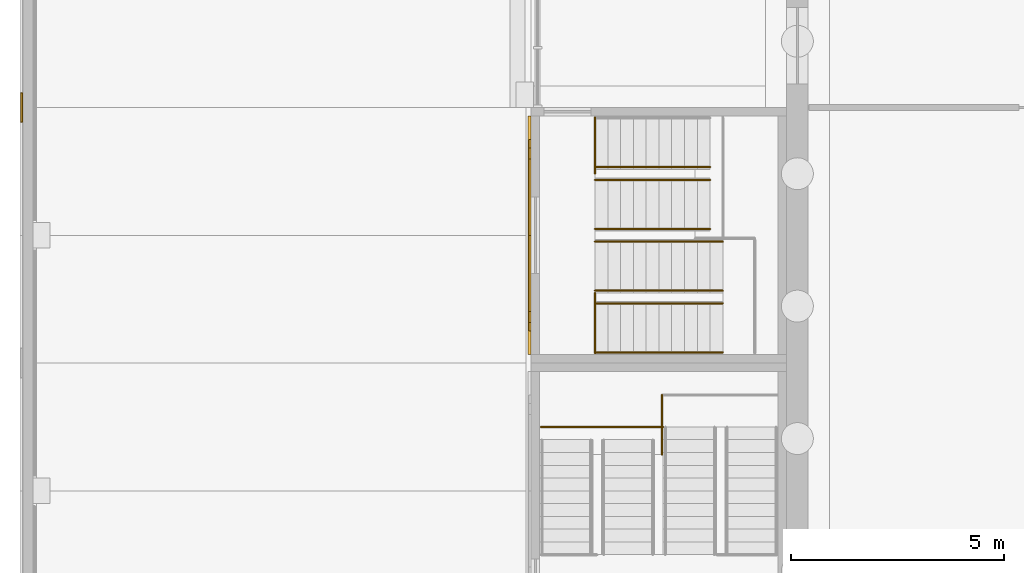
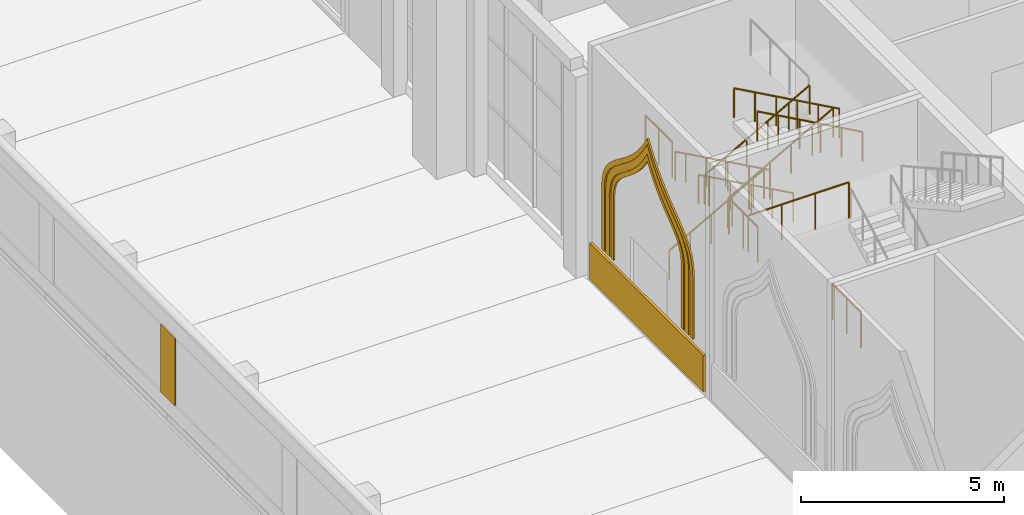
# One storey, part 78 of 95: 11 railings, 5 coverings.
"""IFC4 building model written with IfcOpenShell, lengths in metres."""

from ifc_helpers import new_model, si_unit, direction, frame, origin, origin_2d, place, context, subcontext, project, spatial, polyline, rectangle, circle, outline, extrude, material, layer, layer_set, type_object, element, save


model = new_model("IFC4")

# Units and contexts
model_context = context("Model", 3, precision=1e-05, world=origin(), true_north=direction((0.0, 1.0)))
body_context = subcontext(model_context, "Body", "Model", "MODEL_VIEW")
ifc_project = project(units=[si_unit("LENGTHUNIT", "METRE"), si_unit("AREAUNIT", "SQUARE_METRE"), si_unit("VOLUMEUNIT", "CUBIC_METRE"), si_unit("PLANEANGLEUNIT", "RADIAN"), si_unit("MASSUNIT", "GRAM", prefix="KILO")], contexts=[model_context])

# Site, building, storey
site_placement = place(None, origin())
site = spatial("IfcSite", under=ifc_project, at=site_placement, CompositionType="ELEMENT")
building_placement = place(site_placement, origin())
building = spatial("IfcBuilding", under=site, at=building_placement, Name="Saffron Lane Theatres", CompositionType="ELEMENT")
storey_placement = place(building_placement, origin())
storey = spatial("IfcBuildingStorey", under=building, at=storey_placement, Name="L00", CompositionType="ELEMENT", Elevation=0.0)

# Coverings
ifc_material_1 = material(Name="Masonry sandstone", Category="masonry")
ifc_layer_1 = layer(ifc_material_1, 0.050048828125)
ifc_layer_set_1 = layer_set([ifc_layer_1], Name="Masonry sandstone")
covering_type_1 = type_object("IfcCoveringType", Name="EX-ARCH FRAME RING SANDSTONE 50", PredefinedType="CLADDING", material=ifc_layer_set_1)
covering_1_placement = place(storey_placement, frame((12.0, 67.220947265625, 3.31103515625), z_axis=(1.0, 0.0, 0.0), x_axis=(0.0, -0.060212267817, -0.99818559537)))
element("IfcCovering", 1, at=covering_1_placement, inside=storey, type_object=covering_type_1, Name="Arch recess ring L00", PredefinedType="CLADDING", context=body_context, shape_type="SweptSolid", body=[
    extrude(outline(polyline([(0.0, 0.0), (0.18245996245064686, -1.734723475976807e-18), (2.0579571162514476, 0.11313320632846652), (2.050724587988245, 0.2330324526473327), (0.17912659666935885, 0.12013445049002722), (0.008910318017484561, 0.11989467290442692), (-0.13960380243034332, 0.14101992754420883), (-0.27042632246488074, 0.1810670310814375), (-0.3880257946657277, 0.2370760043565431), (-0.4986122624964559, 0.31062892209304366), (-0.603885402766164, 0.39746532206832463), (-0.708349375352586, 0.499270180830787), (-0.8142206528964551, 0.6122410309466604), (-0.9258563926685295, 0.7356258724131494), (-1.0450444730420934, 0.8666264289383572), (-1.1755664544134807, 1.003057915110166), (-1.3213214992646054, 1.144685126757414), (-1.4861878630399454, 1.2868716016560897), (-1.6721445275018532, 1.4299871330308516), (-1.882826050439687, 1.5694099589183848), (-2.040617995422439, 1.659192944482378), (-1.8947626621261104, 1.767292454875538), (-1.7023682634960484, 1.931029511956845), (-1.5349633280344688, 2.0954604213430774), (-1.3883840885669005, 2.256433829413242), (-1.2607103643737818, 2.4145547335631594), (-1.1475346906255224, 2.5656864804325337), (-1.0449579048402078, 2.7100642741925265), (-0.9489632424503434, 2.8459737377733414), (-0.8574394193472985, 2.9708517990542433), (-0.7659704772175246, 3.0844756674175486), (-0.6718989355993618, 3.1833368806434383), (-0.5709558387862367, 3.2696496246654263), (-0.4609417011053337, 3.339388641432058), (-0.3358816832642421, 3.394871018701731), (-0.19092502590522514, 3.4327205966009036), (-0.02197296967334153, 3.4539183725267932), (1.8496250216455448, 3.5668163746840986), (1.8423924933823423, 3.6867156210029646), (-0.03310466041845825, 3.5735824146744983), (-0.2142415994063242, 3.5516496257137304), (-0.3749882967892865, 3.5079558775061255), (-0.5175148377187658, 3.446039032792898), (-0.6428401135973336, 3.366571383496617), (-0.754264496287823, 3.2715551051242904), (-0.8570526391547226, 3.163118468752466), (-0.9530868289122405, 3.044082944417697), (-1.0463985303885692, 2.9164066068448986), (-1.1423196914749458, 2.7792786549884854), (-1.2440392887253622, 2.63690924351224), (-1.3551392856631255, 2.487859380230101), (-1.480212043730155, 2.335276227621187), (-1.6211630433853152, 2.1783110906345584), (-1.7837590335640314, 2.0193065374804875), (-1.9696239030646943, 1.860855040801105), (-2.26018958268524, 1.6459480095938712), (-1.9458976822988232, 1.4675270254379955), (-1.742333698918291, 1.332566545353323), (-1.5618033906885445, 1.1942599592614251), (-1.4030062745465393, 1.0553761429328026), (-1.2604990072921967, 0.9189338765698157), (-1.132287906902467, 0.7843196692926863), (-1.0141922192349622, 0.6552098929656452), (-0.9024829781593999, 0.530606563223558), (-0.7945004165069005, 0.415072640986949), (-0.6848537853434367, 0.30844413668092546), (-0.569776224533372, 0.21314953337272505), (-0.44773825361924, 0.13221610474866663), (-0.31376922445050365, 0.06838953283459553), (-0.16477456881409536, 0.023079409295178335), (0.0, 0.0)])), origin(), (0.0, 0.0, -1.0), 0.050048828125),
])
covering_2_placement = place(storey_placement, frame((12.0, 66.962890625, 3.333984375), z_axis=(1.0, 0.0, 0.0), x_axis=(0.0, -0.063270109204, -0.997996439513)))
element("IfcCovering", 2, at=covering_2_placement, inside=storey, type_object=covering_type_1, Name="Arch recess ring L00", PredefinedType="CLADDING", context=body_context, shape_type="SweptSolid", body=[
    extrude(outline(polyline([(0.0, 0.0), (0.20451131328636926, 0.0), (2.0806276668637502, 0.11894039083684353), (2.067976734383832, 0.31849094844461956), (0.19770801619422412, 0.19992128090389083), (0.0144407216005487, 0.20053419842883544), (-0.1432761019235517, 0.22258203382804242), (-0.2812437493538364, 0.2649631093819253), (-0.40748727254448935, 0.3269240290838356), (-0.5257351802433071, 0.4055374778503005), (-0.6390348645762146, 0.5025673058291871), (-0.7523176448594566, 0.6147653124425081), (-0.8697101493553678, 0.7416252505476917), (-0.9917579708393627, 0.8801769620388366), (-1.124428821741667, 1.0280850650198985), (-1.2693046879516765, 1.1832922200669196), (-1.4318505321466313, 1.3432502874173748), (-1.61456115889787, 1.5048655345333244), (-1.820983212694718, 1.6662006990332623), (-2.0556688375324716, 1.8257440342686455), (-2.188717697959195, 1.9024406220928562), (-2.066419813119802, 1.9953254605140816), (-1.8537613307928715, 2.18322912790225), (-1.6693664195068467, 2.369340966025863), (-1.5085284672263832, 2.552736206788559), (-1.367484574206089, 2.731940991928976), (-1.2433692125785105, 2.9042014185972795), (-1.1304393771943213, 3.067679900015165), (-1.0268659333000492, 3.2205353520147404), (-0.9264340196013918, 3.3612047329002017), (-0.8282273200268198, 3.486810565389676), (-0.728088312705989, 3.597371793676754), (-0.6207149550265398, 3.69028898295165), (-0.5032452165106046, 3.766722100760383), (-0.37179612037033916, 3.82716194744152), (-0.2181263594954924, 3.868950798358842), (-0.036403745302295454, 3.8927030282829542), (1.833864972887312, 4.011272695823683), (1.8212140404073933, 4.2108232534314585), (-0.05490231316998792, 4.091882862594615), (-0.25777626523185, 4.066055806298615), (-0.4399925942549357, 4.015362892944497), (-0.6007775027933451, 3.9430333789166583), (-0.7421419898590216, 3.8499182956810216), (-0.8672570220099287, 3.7397307051813806), (-0.9817455273529403, 3.6162728527959676), (-1.0873594066215049, 3.480167565320222), (-1.1904062019339534, 3.334439793296892), (-1.295867070408131, 3.1804861609673156), (-1.405753011055981, 3.0191576997974177), (-1.527512589348264, 2.8521838689374683), (-1.6619231001204655, 2.6802492823989263), (-1.8152148514708935, 2.5051606333520864), (-1.9914252882274395, 2.3288636362032866), (-2.193447334475981, 2.15068562635549), (-2.5481036228327842, 1.8796565861857983), (-2.162059428738258, 1.6555858301906534), (-1.9391533034752475, 1.5043470465272013), (-1.7420124472922178, 1.3504962957412796), (-1.567913850947345, 1.1973864086493233), (-1.4128664100247506, 1.0438026252684656), (-1.2709950929182379, 0.8935422363416936), (-1.1416152856163493, 0.747382536704494), (-1.0175564651204108, 0.6079797937474251), (-0.896931206850517, 0.47643218780048757), (-0.77497460894489, 0.35475421526521117), (-0.6458116397973328, 0.2467431668845833), (-0.5077830794984254, 0.15323812471010928), (-0.3557911912774569, 0.07872099349623404), (-0.18709751908859773, 0.026300952584901824), (0.0, 0.0)])), origin(), (0.0, 0.0, -1.0), 0.050048828125),
])
covering_3_placement = place(storey_placement, frame((12.0, 66.763916015625, 3.34912109375), z_axis=(1.0, 0.0, 0.0), x_axis=(0.0, -0.063067105822, -0.998009288616)))
element("IfcCovering", 3, at=covering_3_placement, inside=storey, type_object=covering_type_1, Name="Arch recess ring L00", PredefinedType="CLADDING", context=body_context, shape_type="SweptSolid", body=[
    extrude(outline(polyline([(0.0, 0.0), (0.22065410238359984, 0.0), (2.095819992321758, 0.11849717929764414), (2.08699737229349, 0.2581112716747965), (0.21572995613898713, 0.13986044825926805), (0.01120324984086172, 0.1401457024385599), (-0.16661464303161863, 0.166826152522514), (-0.32408683559152085, 0.21607490839936183), (-0.46710723024222456, 0.28825340008036515), (-0.6001051004476012, 0.3799015700062919), (-0.7281663985634338, 0.4902087668589081), (-0.8536968762192425, 0.6185337089889348), (-0.9827851974313513, 0.7605775943042785), (-1.1168470981407341, 0.9155170755147107), (-1.261591713839184, 1.080789727293752), (-1.418829706234838, 1.2540794801970379), (-1.5953961004210881, 1.4312849950160573), (-1.7941531627651468, 1.6112468863933098), (-2.017809187207904, 1.7903692228565102), (-2.272363155580528, 1.966805145670982), (-2.4713360494485013, 2.0843733579964816), (-2.288745821741221, 2.2260536522840537), (-2.0584271132717276, 2.4331300879366635), (-1.859098732187894, 2.6389820376094155), (-1.684576929746966, 2.8425325046992453), (-1.5317222892143505, 3.04055509155704), (-1.3975493662817773, 3.232259946648473), (-1.2747612185768877, 3.414438770837703), (-1.1612700340241646, 3.5850218505624816), (-1.0510895267644345, 3.7421858281426754), (-0.9427115774009303, 3.8852921231996427), (-0.8295548101530967, 4.010842590258168), (-0.7091518844208844, 4.118503892521613), (-0.5763552588779816, 4.208112062862301), (-0.42633533175207877, 4.2767921389410235), (-0.2532905840955898, 4.325644618415389), (-0.050426780001745275, 4.35167406227577), (1.8208406361527578, 4.469924885691299), (1.8120180161244899, 4.609538978068451), (-0.06314787381366846, 4.491041798770807), (-0.28204669053719406, 4.463265173062264), (-0.4748093632101681, 4.409007991296921), (-0.6452138889458251, 4.329988531727125), (-0.7951660141787333, 4.229266523603667), (-0.9280950019828605, 4.110783931167464), (-1.0496511001501079, 3.9749175816724094), (-1.1644664475692028, 3.825288798534778), (-1.2765780932074908, 3.6638441173757603), (-1.3909823072355991, 3.4922248302345396), (-1.5116545496503437, 3.3114028542863916), (-1.6450992100191186, 3.1236580619491425), (-1.7933887031748097, 2.9308165121735614), (-1.9622040713945823, 2.7337423414364994), (-2.1560542756261065, 2.5341076362624033), (-2.3787173129826167, 2.333630674903618), (-2.718645480099129, 2.068745156724768), (-2.3480768001444785, 1.8487579980615008), (-2.101948365016449, 1.6779053315271268), (-1.8845095850723483, 1.5042611719162358), (-1.6922288190810568, 1.330005714760139), (-1.5208434619770204, 1.1573653473180439), (-1.3648264439093958, 0.987912479227884), (-1.2223517059274132, 0.8237195253225451), (-1.0872535978015876, 0.667867014636728), (-0.9557106319614249, 0.5218195761099406), (-0.8229728941184138, 0.38783439148665516), (-0.6852804856725893, 0.26835070815229334), (-0.5384939794994548, 0.16754415025789063), (-0.37705551126290276, 0.08649981821842358), (-0.19805932413846122, 0.029560004583244877), (0.0, 0.0)])), origin(), (0.0, 0.0, -1.0), 0.050048828125),
])
ifc_material_2 = material(Name="Face brick cladding, pale buff", Category="masonry")
ifc_layer_2 = layer(ifc_material_2, 0.0400390625)
ifc_layer_set_2 = layer_set([ifc_layer_2], Name="Face brick cladding, pale buff")
covering_type_2 = type_object("IfcCoveringType", Name="EX-FACE BRICK SKIN PALE BUFF 40", PredefinedType="CLADDING", material=ifc_layer_set_2)
covering_4_placement = place(storey_placement, frame((0.0400390625, 72.0, 0.4501953125), z_axis=(0.0, 0.0, 1.0), x_axis=(0.0, 1.0, 0.0)))
element("IfcCovering", 4, at=covering_4_placement, inside=storey, type_object=covering_type_2, Name="Face brick cladding, pale buff L00", PredefinedType="CLADDING", context=body_context, shape_type="SweptSolid", body=[
    extrude(rectangle(XDim=0.699951171875, YDim=0.0400390625, at=origin_2d()), origin(), (0.0, 0.0, 1.0), 2.050048828125),
])
ifc_material_3 = material(Name="Masonry sandstone", Category="masonry")
ifc_layer_3 = layer(ifc_material_3, 0.070068359375)
ifc_layer_set_3 = layer_set([ifc_layer_3], Name="Masonry sandstone")
covering_type_3 = type_object("IfcCoveringType", Name="EX-PLINTH COURSE SANDSTONE 70", PredefinedType="CLADDING", material=ifc_layer_set_3)
covering_5_placement = place(storey_placement, frame((11.965087890625, 69.0, 0.0), z_axis=(0.0, 0.0, 1.0), x_axis=(0.0, 1.0, 0.0)))
element("IfcCovering", 5, at=covering_5_placement, inside=storey, type_object=covering_type_3, Name="Plinth course L00", PredefinedType="CLADDING", context=body_context, shape_type="SweptSolid", body=[
    extrude(rectangle(XDim=5.60009765625, YDim=0.070068359375, at=origin_2d()), origin(), (0.0, 0.0, 1.0), 1.10009765625),
])

# Railings
ifc_material_4 = material(Name="Steel Grade 350", Category="steel")
railing_type_1 = type_object("IfcRailingType", Name="VC-GUARD 1100", PredefinedType="GUARDRAIL", material=ifc_material_4)
railing_1_placement = place(storey_placement, frame((13.5, 71.77001953125, 3.333251953125)))
element("IfcRailing", 6, at=railing_1_placement, inside=storey, type_object=railing_type_1, Name="Auditorium West Rear Stair landing guard 1S2w", PredefinedType="GUARDRAIL", context=body_context, shape_type="SweptSolid", body=[
    extrude(circle(Radius=0.02392578125, at=origin_2d()), frame((0.0, 0.0, 1.076171875), z_axis=(0.0, -1.0, 0.0), x_axis=(1.0, 0.0, 0.0)), (0.0, 0.0, 1.0), 1.320068359375),
    extrude(circle(Radius=0.02099609375, at=origin_2d()), origin(), (0.0, 0.0, 1.0), 1.052001953125),
    extrude(circle(Radius=0.02099609375, at=origin_2d()), frame((0.0, -0.66015625, 0.0)), (0.0, 0.0, 1.0), 1.052001953125),
    extrude(circle(Radius=0.02099609375, at=origin_2d()), frame((0.0, -1.320068359375, 0.0)), (0.0, 0.0, 1.0), 1.052001953125),
])
railing_2_placement = place(storey_placement, frame((13.5, 67.64990234375, 3.333251953125)))
element("IfcRailing", 7, at=railing_2_placement, inside=storey, type_object=railing_type_1, Name="Auditorium West Rear Stair landing guard 1S2e", PredefinedType="GUARDRAIL", context=body_context, shape_type="SweptSolid", body=[
    extrude(circle(Radius=0.02392578125, at=origin_2d()), frame((0.0, 0.0, 1.076171875), z_axis=(0.0, -1.0, 0.0), x_axis=(1.0, 0.0, 0.0)), (0.0, 0.0, 1.0), 1.419921875),
    extrude(circle(Radius=0.02099609375, at=origin_2d()), origin(), (0.0, 0.0, 1.0), 1.052001953125),
    extrude(circle(Radius=0.02099609375, at=origin_2d()), frame((0.0, -0.7099609375, 0.0)), (0.0, 0.0, 1.0), 1.052001953125),
    extrude(circle(Radius=0.02099609375, at=origin_2d()), frame((0.0, -1.419921875, 0.0)), (0.0, 0.0, 1.0), 1.052001953125),
])
railing_3_placement = place(storey_placement, frame((15.070068359375, 63.85009765625, 1.666748046875)))
element("IfcRailing", 8, at=railing_3_placement, inside=storey, type_object=railing_type_1, Name="Auditorium West Front Stair landing guard 1N1e", PredefinedType="GUARDRAIL", context=body_context, shape_type="SweptSolid", body=[
    extrude(circle(Radius=0.02392578125, at=origin_2d()), frame((0.0, 0.0, 1.076171875), z_axis=(0.0, 1.0, 0.0), x_axis=(-1.0, 0.0, 0.0)), (0.0, 0.0, 1.0), 1.39990234375),
    extrude(circle(Radius=0.02099609375, at=origin_2d()), origin(), (0.0, 0.0, 1.0), 1.052001953125),
    extrude(circle(Radius=0.02099609375, at=origin_2d()), frame((0.0, 0.699951171875, 0.0)), (0.0, 0.0, 1.0), 1.052001953125),
    extrude(circle(Radius=0.02099609375, at=origin_2d()), frame((0.0, 1.39990234375, 0.0)), (0.0, 0.0, 1.0), 1.052001953125),
])
railing_4_placement = place(storey_placement, frame((12.22998046875, 64.5, 5.166748046875)))
element("IfcRailing", 9, at=railing_4_placement, inside=storey, type_object=railing_type_1, Name="Auditorium West Front Stair landing guard 1N2s", PredefinedType="GUARDRAIL", context=body_context, shape_type="SweptSolid", body=[
    extrude(circle(Radius=0.02392578125, at=origin_2d()), frame((0.0, 0.0, 1.076171875), z_axis=(1.0, 0.0, 0.0), x_axis=(0.0, 1.0, 0.0)), (0.0, 0.0, 1.0), 2.8701171875),
    extrude(circle(Radius=0.02099609375, at=origin_2d()), origin(), (0.0, 0.0, 1.0), 1.052001953125),
    extrude(circle(Radius=0.02099609375, at=origin_2d()), frame((0.956787109375, 0.0, 0.0)), (0.0, 0.0, 1.0), 1.052001953125),
    extrude(circle(Radius=0.02099609375, at=origin_2d()), frame((1.913330078125, 0.0, 0.0)), (0.0, 0.0, 1.0), 1.052001953125),
    extrude(circle(Radius=0.02099609375, at=origin_2d()), frame((2.8701171875, 0.0, 0.0)), (0.0, 0.0, 1.0), 1.052001953125),
])
ifc_material_5 = material(Name="Steel Grade 350", Category="steel")
railing_type_2 = type_object("IfcRailingType", Name="VC-HANDRAIL 900", PredefinedType="HANDRAIL", material=ifc_material_5)
railing_5_placement = place(storey_placement, frame((13.5, 70.60009765625, 0.166748046875)))
element("IfcRailing", 10, at=railing_5_placement, inside=storey, type_object=railing_type_2, Name="Auditorium West Rear Stair handrail 1.1b", PredefinedType="HANDRAIL", context=body_context, shape_type="SweptSolid", body=[
    extrude(circle(Radius=0.02392578125, at=origin_2d()), frame((0.0, 0.0, 0.8759765625), z_axis=(0.874241147926, 0.0, 0.485491931212), x_axis=(0.0, 1.0, 0.0)), (0.0, 0.0, 1.0), 0.6865234375),
    extrude(circle(Radius=0.02392578125, at=origin_2d()), frame((0.60009765625, 0.0, 1.208984375), z_axis=(0.874157276122, 0.0, 0.485642931179), x_axis=(0.0, 1.0, 0.0)), (0.0, 0.0, 1.0), 0.686279296875),
    extrude(circle(Radius=0.02392578125, at=origin_2d()), frame((1.199951171875, 0.0, 1.54248046875), z_axis=(0.874090171491, 0.0, 0.485763699861), x_axis=(0.0, 1.0, 0.0)), (0.0, 0.0, 1.0), 0.6865234375),
    extrude(circle(Radius=0.02392578125, at=origin_2d()), frame((1.800048828125, 0.0, 1.8759765625), z_axis=(0.874157276122, 0.0, 0.485642931179), x_axis=(0.0, 1.0, 0.0)), (0.0, 0.0, 1.0), 0.686279296875),
    extrude(circle(Radius=0.02392578125, at=origin_2d()), frame((2.39990234375, 0.0, 2.208984375), z_axis=(0.874090171491, 0.0, 0.485763699861), x_axis=(0.0, 1.0, 0.0)), (0.0, 0.0, 1.0), 0.34326171875),
    extrude(circle(Radius=0.02099609375, at=origin_2d()), origin(), (0.0, 0.0, 1.0), 0.851806640625),
    extrude(circle(Radius=0.02099609375, at=origin_2d()), frame((0.60009765625, 0.0, 0.333251953125)), (0.0, 0.0, 1.0), 0.851806640625),
    extrude(circle(Radius=0.02099609375, at=origin_2d()), frame((1.199951171875, 0.0, 0.66650390625)), (0.0, 0.0, 1.0), 0.851806640625),
    extrude(circle(Radius=0.02099609375, at=origin_2d()), frame((1.800048828125, 0.0, 1.0)), (0.0, 0.0, 1.0), 0.851806640625),
    extrude(circle(Radius=0.02099609375, at=origin_2d()), frame((2.39990234375, 0.0, 1.333251953125)), (0.0, 0.0, 1.0), 0.851806640625),
    extrude(circle(Radius=0.02099609375, at=origin_2d()), frame((2.699951171875, 0.0, 1.5)), (0.0, 0.0, 1.0), 0.851806640625),
])
railing_6_placement = place(storey_placement, frame((16.199951171875, 70.300048828125, 1.833251953125)))
element("IfcRailing", 11, at=railing_6_placement, inside=storey, type_object=railing_type_2, Name="Auditorium West Rear Stair handrail 1.2a", PredefinedType="HANDRAIL", context=body_context, shape_type="SweptSolid", body=[
    extrude(circle(Radius=0.02392578125, at=origin_2d()), frame((0.0, 0.0, 0.8759765625), z_axis=(-0.874006220275, 0.0, 0.485914732151), x_axis=(0.0, -1.0, 0.0)), (0.0, 0.0, 1.0), 0.686279296875),
    extrude(circle(Radius=0.02392578125, at=origin_2d()), frame((-0.599853515625, 0.0, 1.20947265625), z_axis=(-0.874241147926, 0.0, 0.485491931212), x_axis=(0.0, -1.0, 0.0)), (0.0, 0.0, 1.0), 0.6865234375),
    extrude(circle(Radius=0.02392578125, at=origin_2d()), frame((-1.199951171875, 0.0, 1.54248046875), z_axis=(-0.874241147926, 0.0, 0.485491931212), x_axis=(0.0, -1.0, 0.0)), (0.0, 0.0, 1.0), 0.6865234375),
    extrude(circle(Radius=0.02392578125, at=origin_2d()), frame((-1.800048828125, 0.0, 1.8759765625), z_axis=(-0.874006220275, 0.0, 0.485914732151), x_axis=(0.0, -1.0, 0.0)), (0.0, 0.0, 1.0), 0.686279296875),
    extrude(circle(Radius=0.02392578125, at=origin_2d()), frame((-2.39990234375, 0.0, 2.20947265625), z_axis=(-0.87439209197, 0.0, 0.485220021744), x_axis=(0.0, -1.0, 0.0)), (0.0, 0.0, 1.0), 0.34326171875),
    extrude(circle(Radius=0.02099609375, at=origin_2d()), origin(), (0.0, 0.0, 1.0), 0.851806640625),
    extrude(circle(Radius=0.02099609375, at=origin_2d()), frame((-0.599853515625, 0.0, 0.33349609375)), (0.0, 0.0, 1.0), 0.851806640625),
    extrude(circle(Radius=0.02099609375, at=origin_2d()), frame((-1.199951171875, 0.0, 0.666748046875)), (0.0, 0.0, 1.0), 0.851806640625),
    extrude(circle(Radius=0.02099609375, at=origin_2d()), frame((-1.800048828125, 0.0, 1.0)), (0.0, 0.0, 1.0), 0.851806640625),
    extrude(circle(Radius=0.02099609375, at=origin_2d()), frame((-2.39990234375, 0.0, 1.33349609375)), (0.0, 0.0, 1.0), 0.851806640625),
    extrude(circle(Radius=0.02099609375, at=origin_2d()), frame((-2.699951171875, 0.0, 1.5)), (0.0, 0.0, 1.0), 0.851806640625),
])
railing_7_placement = place(storey_placement, frame((16.199951171875, 69.14990234375, 1.833251953125)))
element("IfcRailing", 12, at=railing_7_placement, inside=storey, type_object=railing_type_2, Name="Auditorium West Rear Stair handrail 1.2b", PredefinedType="HANDRAIL", context=body_context, shape_type="SweptSolid", body=[
    extrude(circle(Radius=0.02392578125, at=origin_2d()), frame((0.0, 0.0, 0.8759765625), z_axis=(-0.874006220275, 0.0, 0.485914732151), x_axis=(0.0, -1.0, 0.0)), (0.0, 0.0, 1.0), 0.686279296875),
    extrude(circle(Radius=0.02392578125, at=origin_2d()), frame((-0.599853515625, 0.0, 1.20947265625), z_axis=(-0.874241147926, 0.0, 0.485491931212), x_axis=(0.0, -1.0, 0.0)), (0.0, 0.0, 1.0), 0.6865234375),
    extrude(circle(Radius=0.02392578125, at=origin_2d()), frame((-1.199951171875, 0.0, 1.54248046875), z_axis=(-0.874241147926, 0.0, 0.485491931212), x_axis=(0.0, -1.0, 0.0)), (0.0, 0.0, 1.0), 0.6865234375),
    extrude(circle(Radius=0.02392578125, at=origin_2d()), frame((-1.800048828125, 0.0, 1.8759765625), z_axis=(-0.874006220275, 0.0, 0.485914732151), x_axis=(0.0, -1.0, 0.0)), (0.0, 0.0, 1.0), 0.686279296875),
    extrude(circle(Radius=0.02392578125, at=origin_2d()), frame((-2.39990234375, 0.0, 2.20947265625), z_axis=(-0.87439209197, 0.0, 0.485220021744), x_axis=(0.0, -1.0, 0.0)), (0.0, 0.0, 1.0), 0.34326171875),
    extrude(circle(Radius=0.02099609375, at=origin_2d()), origin(), (0.0, 0.0, 1.0), 0.851806640625),
    extrude(circle(Radius=0.02099609375, at=origin_2d()), frame((-0.599853515625, 0.0, 0.33349609375)), (0.0, 0.0, 1.0), 0.851806640625),
    extrude(circle(Radius=0.02099609375, at=origin_2d()), frame((-1.199951171875, 0.0, 0.666748046875)), (0.0, 0.0, 1.0), 0.851806640625),
    extrude(circle(Radius=0.02099609375, at=origin_2d()), frame((-1.800048828125, 0.0, 1.0)), (0.0, 0.0, 1.0), 0.851806640625),
    extrude(circle(Radius=0.02099609375, at=origin_2d()), frame((-2.39990234375, 0.0, 1.33349609375)), (0.0, 0.0, 1.0), 0.851806640625),
    extrude(circle(Radius=0.02099609375, at=origin_2d()), frame((-2.699951171875, 0.0, 1.5)), (0.0, 0.0, 1.0), 0.851806640625),
])
railing_8_placement = place(storey_placement, frame((13.5, 68.85009765625, 3.5)))
element("IfcRailing", 13, at=railing_8_placement, inside=storey, type_object=railing_type_2, Name="Auditorium West Rear Stair handrail 1.3a", PredefinedType="HANDRAIL", context=body_context, shape_type="SweptSolid", body=[
    extrude(circle(Radius=0.02392578125, at=origin_2d()), frame((0.0, 0.0, 0.8759765625), z_axis=(0.874241147926, 0.0, 0.485491931212), x_axis=(0.0, 1.0, 0.0)), (0.0, 0.0, 1.0), 0.6865234375),
    extrude(circle(Radius=0.02392578125, at=origin_2d()), frame((0.60009765625, 0.0, 1.208984375), z_axis=(0.874006220275, 0.0, 0.485914732151), x_axis=(0.0, 1.0, 0.0)), (0.0, 0.0, 1.0), 0.686279296875),
    extrude(circle(Radius=0.02392578125, at=origin_2d()), frame((1.199951171875, 0.0, 1.54248046875), z_axis=(0.874241147926, 0.0, 0.485491931212), x_axis=(0.0, 1.0, 0.0)), (0.0, 0.0, 1.0), 0.6865234375),
    extrude(circle(Radius=0.02392578125, at=origin_2d()), frame((1.800048828125, 0.0, 1.8759765625), z_axis=(0.874157276122, 0.0, 0.485642931179), x_axis=(0.0, 1.0, 0.0)), (0.0, 0.0, 1.0), 0.686279296875),
    extrude(circle(Radius=0.02392578125, at=origin_2d()), frame((2.39990234375, 0.0, 2.208984375), z_axis=(0.874090171491, 0.0, 0.485763699861), x_axis=(0.0, 1.0, 0.0)), (0.0, 0.0, 1.0), 0.6865234375),
    extrude(circle(Radius=0.02099609375, at=origin_2d()), origin(), (0.0, 0.0, 1.0), 0.851806640625),
    extrude(circle(Radius=0.02099609375, at=origin_2d()), frame((0.60009765625, 0.0, 0.333251953125)), (0.0, 0.0, 1.0), 0.851806640625),
    extrude(circle(Radius=0.02099609375, at=origin_2d()), frame((1.199951171875, 0.0, 0.666748046875)), (0.0, 0.0, 1.0), 0.851806640625),
    extrude(circle(Radius=0.02099609375, at=origin_2d()), frame((1.800048828125, 0.0, 1.0)), (0.0, 0.0, 1.0), 0.851806640625),
    extrude(circle(Radius=0.02099609375, at=origin_2d()), frame((2.39990234375, 0.0, 1.333251953125)), (0.0, 0.0, 1.0), 0.851806640625),
    extrude(circle(Radius=0.02099609375, at=origin_2d()), frame((3.0, 0.0, 1.666748046875)), (0.0, 0.0, 1.0), 0.851806640625),
])
railing_9_placement = place(storey_placement, frame((13.5, 67.699951171875, 3.5)))
element("IfcRailing", 14, at=railing_9_placement, inside=storey, type_object=railing_type_2, Name="Auditorium West Rear Stair handrail 1.3b", PredefinedType="HANDRAIL", context=body_context, shape_type="SweptSolid", body=[
    extrude(circle(Radius=0.02392578125, at=origin_2d()), frame((0.0, 0.0, 0.8759765625), z_axis=(0.874241147926, 0.0, 0.485491931212), x_axis=(0.0, 1.0, 0.0)), (0.0, 0.0, 1.0), 0.6865234375),
    extrude(circle(Radius=0.02392578125, at=origin_2d()), frame((0.60009765625, 0.0, 1.208984375), z_axis=(0.874006220275, 0.0, 0.485914732151), x_axis=(0.0, 1.0, 0.0)), (0.0, 0.0, 1.0), 0.686279296875),
    extrude(circle(Radius=0.02392578125, at=origin_2d()), frame((1.199951171875, 0.0, 1.54248046875), z_axis=(0.874241147926, 0.0, 0.485491931212), x_axis=(0.0, 1.0, 0.0)), (0.0, 0.0, 1.0), 0.6865234375),
    extrude(circle(Radius=0.02392578125, at=origin_2d()), frame((1.800048828125, 0.0, 1.8759765625), z_axis=(0.874157276122, 0.0, 0.485642931179), x_axis=(0.0, 1.0, 0.0)), (0.0, 0.0, 1.0), 0.686279296875),
    extrude(circle(Radius=0.02392578125, at=origin_2d()), frame((2.39990234375, 0.0, 2.208984375), z_axis=(0.874090171491, 0.0, 0.485763699861), x_axis=(0.0, 1.0, 0.0)), (0.0, 0.0, 1.0), 0.6865234375),
    extrude(circle(Radius=0.02099609375, at=origin_2d()), origin(), (0.0, 0.0, 1.0), 0.851806640625),
    extrude(circle(Radius=0.02099609375, at=origin_2d()), frame((0.60009765625, 0.0, 0.333251953125)), (0.0, 0.0, 1.0), 0.851806640625),
    extrude(circle(Radius=0.02099609375, at=origin_2d()), frame((1.199951171875, 0.0, 0.666748046875)), (0.0, 0.0, 1.0), 0.851806640625),
    extrude(circle(Radius=0.02099609375, at=origin_2d()), frame((1.800048828125, 0.0, 1.0)), (0.0, 0.0, 1.0), 0.851806640625),
    extrude(circle(Radius=0.02099609375, at=origin_2d()), frame((2.39990234375, 0.0, 1.333251953125)), (0.0, 0.0, 1.0), 0.851806640625),
    extrude(circle(Radius=0.02099609375, at=origin_2d()), frame((3.0, 0.0, 1.666748046875)), (0.0, 0.0, 1.0), 0.851806640625),
])
railing_10_placement = place(storey_placement, frame((16.5, 67.39990234375, 5.333251953125)))
element("IfcRailing", 15, at=railing_10_placement, inside=storey, type_object=railing_type_2, Name="Auditorium West Rear Stair handrail 1.4a", PredefinedType="HANDRAIL", context=body_context, shape_type="SweptSolid", body=[
    extrude(circle(Radius=0.02392578125, at=origin_2d()), frame((0.0, 0.0, 0.8759765625), z_axis=(-0.874090171491, 0.0, 0.485763699861), x_axis=(0.0, -1.0, 0.0)), (0.0, 0.0, 1.0), 0.6865234375),
    extrude(circle(Radius=0.02392578125, at=origin_2d()), frame((-0.60009765625, 0.0, 1.20947265625), z_axis=(-0.874157276122, 0.0, 0.485642931179), x_axis=(0.0, -1.0, 0.0)), (0.0, 0.0, 1.0), 0.686279296875),
    extrude(circle(Radius=0.02392578125, at=origin_2d()), frame((-1.199951171875, 0.0, 1.54248046875), z_axis=(-0.874241147926, 0.0, 0.485491931212), x_axis=(0.0, -1.0, 0.0)), (0.0, 0.0, 1.0), 0.6865234375),
    extrude(circle(Radius=0.02392578125, at=origin_2d()), frame((-1.800048828125, 0.0, 1.8759765625), z_axis=(-0.874006220275, 0.0, 0.485914732151), x_axis=(0.0, -1.0, 0.0)), (0.0, 0.0, 1.0), 0.686279296875),
    extrude(circle(Radius=0.02392578125, at=origin_2d()), frame((-2.39990234375, 0.0, 2.20947265625), z_axis=(-0.874241147926, 0.0, 0.485491931212), x_axis=(0.0, -1.0, 0.0)), (0.0, 0.0, 1.0), 0.6865234375),
    extrude(circle(Radius=0.02099609375, at=origin_2d()), origin(), (0.0, 0.0, 1.0), 0.851806640625),
    extrude(circle(Radius=0.02099609375, at=origin_2d()), frame((-0.60009765625, 0.0, 0.33349609375)), (0.0, 0.0, 1.0), 0.851806640625),
    extrude(circle(Radius=0.02099609375, at=origin_2d()), frame((-1.199951171875, 0.0, 0.666748046875)), (0.0, 0.0, 1.0), 0.851806640625),
    extrude(circle(Radius=0.02099609375, at=origin_2d()), frame((-1.800048828125, 0.0, 1.0)), (0.0, 0.0, 1.0), 0.851806640625),
    extrude(circle(Radius=0.02099609375, at=origin_2d()), frame((-2.39990234375, 0.0, 1.33349609375)), (0.0, 0.0, 1.0), 0.851806640625),
    extrude(circle(Radius=0.02099609375, at=origin_2d()), frame((-3.0, 0.0, 1.666748046875)), (0.0, 0.0, 1.0), 0.851806640625),
])
railing_11_placement = place(storey_placement, frame((16.5, 66.25, 5.333251953125)))
element("IfcRailing", 16, at=railing_11_placement, inside=storey, type_object=railing_type_2, Name="Auditorium West Rear Stair handrail 1.4b", PredefinedType="HANDRAIL", context=body_context, shape_type="SweptSolid", body=[
    extrude(circle(Radius=0.02392578125, at=origin_2d()), frame((0.0, 0.0, 0.8759765625), z_axis=(-0.874090171491, 0.0, 0.485763699861), x_axis=(0.0, -1.0, 0.0)), (0.0, 0.0, 1.0), 0.6865234375),
    extrude(circle(Radius=0.02392578125, at=origin_2d()), frame((-0.60009765625, 0.0, 1.20947265625), z_axis=(-0.874157276122, 0.0, 0.485642931179), x_axis=(0.0, -1.0, 0.0)), (0.0, 0.0, 1.0), 0.686279296875),
    extrude(circle(Radius=0.02392578125, at=origin_2d()), frame((-1.199951171875, 0.0, 1.54248046875), z_axis=(-0.874241147926, 0.0, 0.485491931212), x_axis=(0.0, -1.0, 0.0)), (0.0, 0.0, 1.0), 0.6865234375),
    extrude(circle(Radius=0.02392578125, at=origin_2d()), frame((-1.800048828125, 0.0, 1.8759765625), z_axis=(-0.874006220275, 0.0, 0.485914732151), x_axis=(0.0, -1.0, 0.0)), (0.0, 0.0, 1.0), 0.686279296875),
    extrude(circle(Radius=0.02392578125, at=origin_2d()), frame((-2.39990234375, 0.0, 2.20947265625), z_axis=(-0.874241147926, 0.0, 0.485491931212), x_axis=(0.0, -1.0, 0.0)), (0.0, 0.0, 1.0), 0.6865234375),
    extrude(circle(Radius=0.02099609375, at=origin_2d()), origin(), (0.0, 0.0, 1.0), 0.851806640625),
    extrude(circle(Radius=0.02099609375, at=origin_2d()), frame((-0.60009765625, 0.0, 0.33349609375)), (0.0, 0.0, 1.0), 0.851806640625),
    extrude(circle(Radius=0.02099609375, at=origin_2d()), frame((-1.199951171875, 0.0, 0.666748046875)), (0.0, 0.0, 1.0), 0.851806640625),
    extrude(circle(Radius=0.02099609375, at=origin_2d()), frame((-1.800048828125, 0.0, 1.0)), (0.0, 0.0, 1.0), 0.851806640625),
    extrude(circle(Radius=0.02099609375, at=origin_2d()), frame((-2.39990234375, 0.0, 1.33349609375)), (0.0, 0.0, 1.0), 0.851806640625),
    extrude(circle(Radius=0.02099609375, at=origin_2d()), frame((-3.0, 0.0, 1.666748046875)), (0.0, 0.0, 1.0), 0.851806640625),
])

save(model, "model.ifc")
